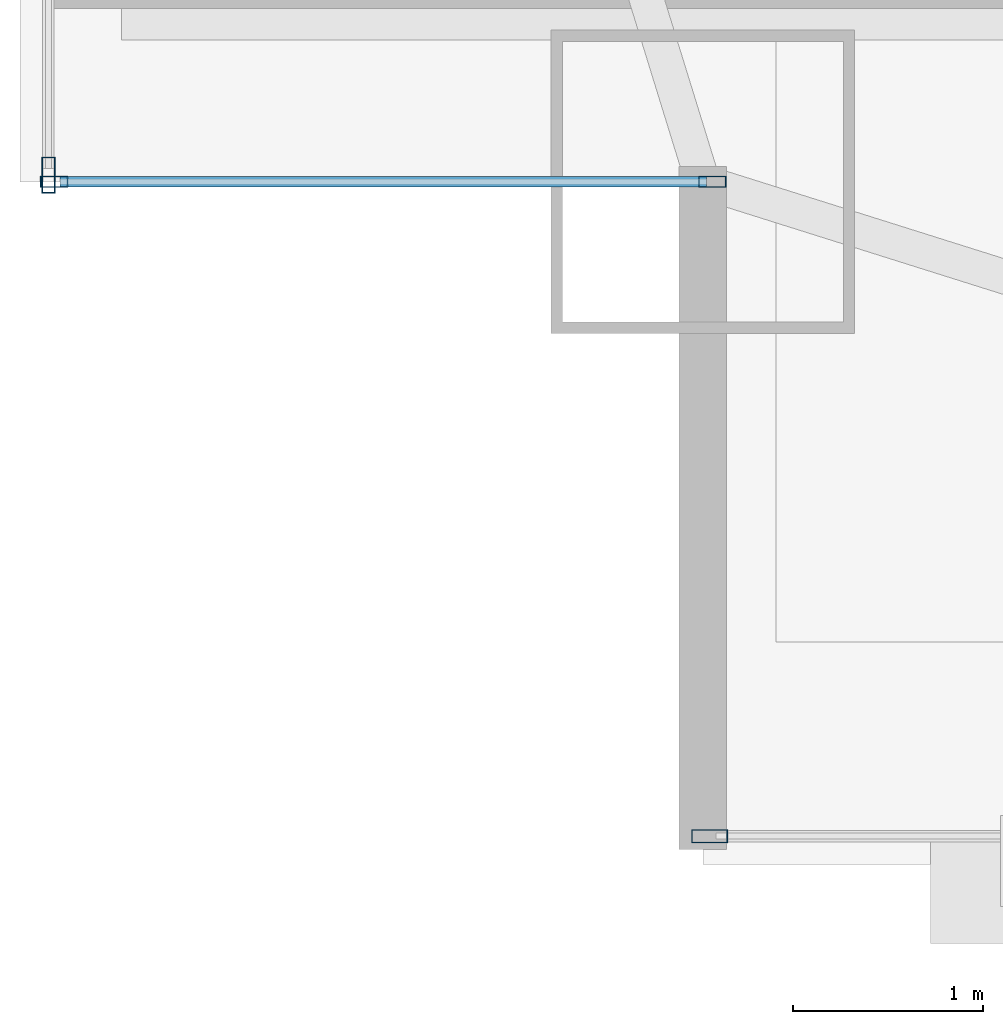
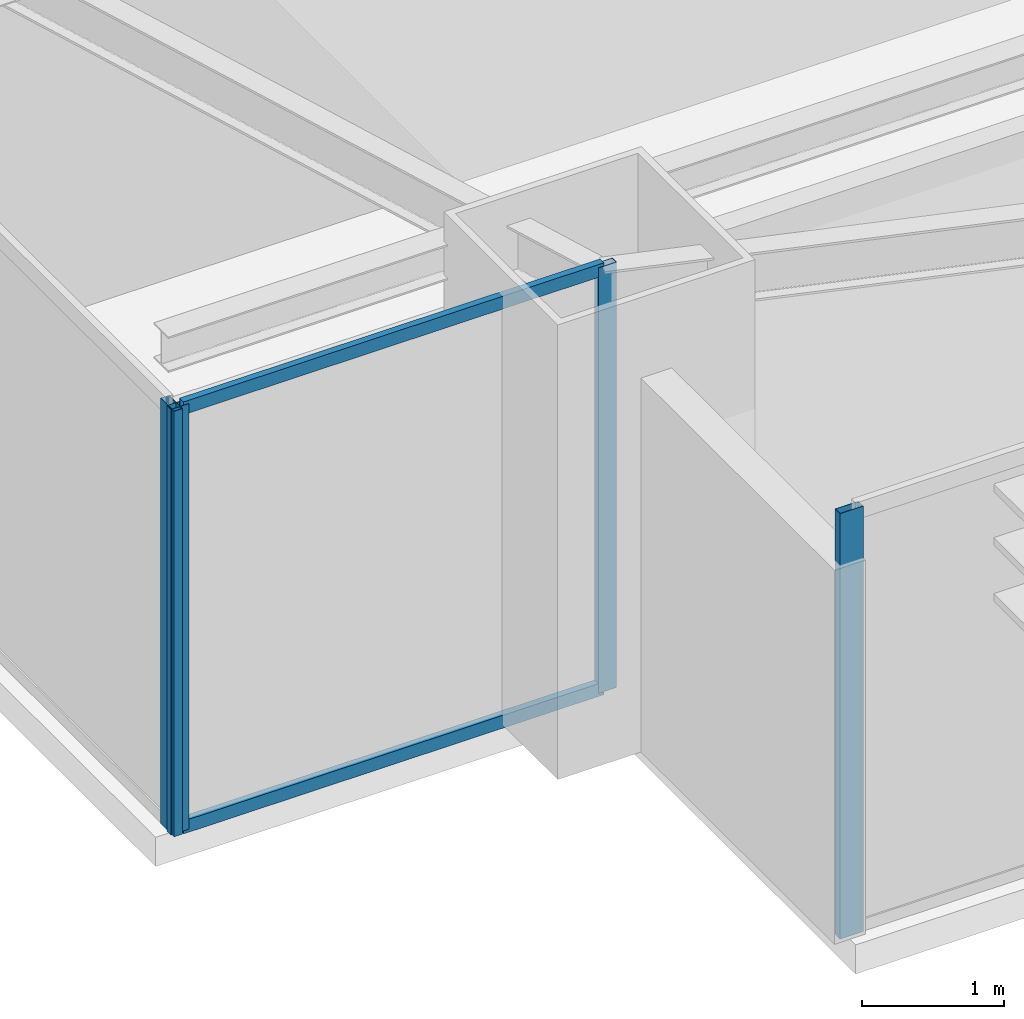
# One storey, part 3 of 34: 6 members, 3 elements without a shape of their own.
"""IFC4 building model written with IfcOpenShell, lengths in metres."""

from ifc_helpers import new_model, si_unit, direction, frame, origin, origin_2d, place, context, subcontext, project, spatial, hollow_rectangle, extrude, source, transform, mapped, material, layer, layer_set, material_profile, profile_set, type_object, type_shapes, element, aggregate, save


model = new_model("IFC4")

# Units and contexts
model_context = context("Model", 3, precision=1e-05, world=origin(), true_north=direction((0.0, 1.0)))
body_context = subcontext(model_context, "Body", "Model", "MODEL_VIEW")
ifc_project = project(units=[si_unit("LENGTHUNIT", "METRE"), si_unit("AREAUNIT", "SQUARE_METRE"), si_unit("VOLUMEUNIT", "CUBIC_METRE"), si_unit("PLANEANGLEUNIT", "RADIAN"), si_unit("MASSUNIT", "GRAM", prefix="KILO")], contexts=[model_context])

# Site, building, storey
site_placement = place(None, origin())
site = spatial("IfcSite", under=ifc_project, at=site_placement, CompositionType="ELEMENT")
building_placement = place(site_placement, origin())
building = spatial("IfcBuilding", under=site, at=building_placement, Name="Varnel Quay Broadcast Tower", CompositionType="ELEMENT")
storey_placement = place(building_placement, frame((0.0, 0.0, 47.10009765625)))
storey = spatial("IfcBuildingStorey", under=building, at=storey_placement, Name="L10", CompositionType="ELEMENT", Elevation=47.10009765625)

# Curtain wall, member
ifc_material = material(Name="Anodised Bronze Aluminium 6063-T6", Category="aluminium")
ifc_layer_1 = layer(ifc_material, 0.18994140625, Name="Anodised Bronze Aluminium 6063-T6")
ifc_layer_set_1 = layer_set([ifc_layer_1], Name="Anodised Bronze Aluminium 6063-T6")
curtain_wall_type_1 = type_object("IfcCurtainWallType", Name="CW_LowerTower", PredefinedType="NOTDEFINED", material=ifc_layer_set_1)
curtain_wall_1_placement = place(storey_placement, origin())
curtain_wall_1 = element("IfcCurtainWall", 1, at=curtain_wall_1_placement, inside=storey, type_object=curtain_wall_type_1, Name="L10 South Unitised Curtain Wall 1", PredefinedType="NOTDEFINED")
ifc_material_profile_1 = material_profile(ifc_material, hollow_rectangle(XDim=0.070068359375, YDim=0.18994140625, WallThickness=0.00390625, at=origin_2d()), Name="ALU70X190X4")
ifc_profile_set_1 = profile_set([ifc_material_profile_1], Name="Anodised Bronze Aluminium 6063-T6")
member_type_1 = type_object("IfcMemberType", Name="Mull_CWS-02", PredefinedType="MULLION", material=ifc_profile_set_1)
shared_shape_1 = source(origin(), body_context, "Body", "SweptSolid", [
    extrude(hollow_rectangle(XDim=0.070068359375, YDim=0.18994140625, WallThickness=0.00390625, at=origin_2d()), origin(), (0.0, 0.0, 1.0), 3.64990234375),
])
type_shapes(member_type_1, [shared_shape_1])
member_1_placement = place(storey_placement, frame((5.635009765625, 1.35009765625, 0.0), z_axis=(0.0, 0.0, 1.0), x_axis=(0.0, 1.0, 0.0)))
member_1 = element("IfcMember", 2, at=member_1_placement, type_object=member_type_1, Name="CWS-02 mullion 1", PredefinedType="MULLION", context=body_context, shape_type="MappedRepresentation", body=[
    mapped(shared_shape_1, transform((0.0, 0.0, 0.0), x_axis=(1.0, 0.0, 0.0), y_axis=(0.0, 1.0, 0.0), z_axis=(0.0, 0.0, 1.0), scale=1.0)),
])
aggregate(curtain_wall_1, [member_1])

curtain_wall_2_placement = place(storey_placement, origin())
curtain_wall_2 = element("IfcCurtainWall", 3, at=curtain_wall_2_placement, inside=storey, type_object=curtain_wall_type_1, Name="L10 West Unitised Curtain Wall", PredefinedType="NOTDEFINED")
member_2_placement = place(storey_placement, frame((2.14990234375, 4.8349609375, 0.0), z_axis=(0.0, 0.0, 1.0), x_axis=(-1.0, 0.0, 0.0)))
member_2 = element("IfcMember", 4, at=member_2_placement, type_object=member_type_1, Name="CWS-02 mullion 1", PredefinedType="MULLION", context=body_context, shape_type="MappedRepresentation", body=[
    mapped(shared_shape_1, transform((0.0, 0.0, 0.0), x_axis=(1.0, 0.0, 0.0), y_axis=(0.0, 1.0, 0.0), z_axis=(0.0, 0.0, 1.0), scale=1.0)),
])
aggregate(curtain_wall_2, [member_2])

# Curtain wall, members
ifc_layer_2 = layer(ifc_material, 0.18994140625, Name="Anodised Bronze Aluminium 6063-T6")
ifc_layer_set_2 = layer_set([ifc_layer_2], Name="Anodised Bronze Aluminium 6063-T6")
curtain_wall_type_2 = type_object("IfcCurtainWallType", Name="CW_NotchCorner", PredefinedType="NOTDEFINED", material=ifc_layer_set_2)
curtain_wall_3_placement = place(storey_placement, origin())
curtain_wall_3 = element("IfcCurtainWall", 5, at=curtain_wall_3_placement, inside=storey, type_object=curtain_wall_type_2, Name="L10 SW Notch Curtain Wall", PredefinedType="NOTDEFINED")
ifc_material_profile_2 = material_profile(ifc_material, hollow_rectangle(XDim=0.06005859375, YDim=0.14501953125, WallThickness=0.00341796875, at=origin_2d()), Name="ALU60X145X3.5")
ifc_profile_set_2 = profile_set([ifc_material_profile_2], Name="Anodised Bronze Aluminium 6063-T6")
member_type_2 = type_object("IfcMemberType", Name="Mull_CWS-04", PredefinedType="MULLION", material=ifc_profile_set_2)
shared_shape_2 = source(origin(), body_context, "Body", "SweptSolid", [
    extrude(hollow_rectangle(XDim=0.06005859375, YDim=0.14501953125, WallThickness=0.00341796875, at=origin_2d()), origin(), (0.0, 0.0, 1.0), 3.64990234375),
])
type_shapes(member_type_2, [shared_shape_2])
member_3_placement = place(storey_placement, frame((2.179931640625, 4.800048828125, 0.0), z_axis=(0.0, 0.0, 1.0), x_axis=(0.0, 1.0, 0.0)))
member_3 = element("IfcMember", 6, at=member_3_placement, type_object=member_type_2, Name="CWS-04 mullion 1", PredefinedType="MULLION", context=body_context, shape_type="MappedRepresentation", body=[
    mapped(shared_shape_2, transform((0.0, 0.0, 0.0), x_axis=(1.0, 0.0, 0.0), y_axis=(0.0, 1.0, 0.0), z_axis=(0.0, 0.0, 1.0), scale=1.0)),
])
member_4_placement = place(storey_placement, frame((5.64990234375, 4.800048828125, 0.0), z_axis=(0.0, 0.0, 1.0), x_axis=(0.0, 1.0, 0.0)))
member_4 = element("IfcMember", 7, at=member_4_placement, type_object=member_type_2, Name="CWS-04 mullion 2", PredefinedType="MULLION", context=body_context, shape_type="MappedRepresentation", body=[
    mapped(shared_shape_2, transform((0.0, 0.0, 0.0), x_axis=(1.0, 0.0, 0.0), y_axis=(0.0, 1.0, 0.0), z_axis=(0.0, 0.0, 1.0), scale=1.0)),
])
ifc_material_profile_3 = material_profile(ifc_material, hollow_rectangle(XDim=0.054931640625, YDim=0.110107421875, WallThickness=0.0029296875, at=origin_2d()), Name="ALU55X110X3")
ifc_profile_set_3 = profile_set([ifc_material_profile_3], Name="Anodised Bronze Aluminium 6063-T6")
member_type_3 = type_object("IfcMemberType", Name="Tran_CWS-04", PredefinedType="USERDEFINED", material=ifc_profile_set_3)
shared_shape_3 = source(origin(), body_context, "Body", "SweptSolid", [
    extrude(hollow_rectangle(XDim=0.054931640625, YDim=0.110107421875, WallThickness=0.0029296875, at=origin_2d()), origin(), (0.0, 0.0, 1.0), 3.41015625),
])
type_shapes(member_type_3, [shared_shape_3])
member_5_placement = place(storey_placement, frame((2.2099609375, 4.800048828125, 0.02734375), z_axis=(1.0, 0.0, 0.0), x_axis=(0.0, 1.0, 0.0)))
member_5 = element("IfcMember", 8, at=member_5_placement, type_object=member_type_3, Name="CWS-04 transom 1.1", ObjectType="TRANSOM", PredefinedType="USERDEFINED", context=body_context, shape_type="MappedRepresentation", body=[
    mapped(shared_shape_3, transform((0.0, 0.0, 0.0), x_axis=(1.0, 0.0, 0.0), y_axis=(0.0, 1.0, 0.0), z_axis=(0.0, 0.0, 1.0), scale=1.0)),
])
member_6_placement = place(storey_placement, frame((2.2099609375, 4.800048828125, 3.622314453125), z_axis=(1.0, 0.0, 0.0), x_axis=(0.0, 1.0, 0.0)))
member_6 = element("IfcMember", 9, at=member_6_placement, type_object=member_type_3, Name="CWS-04 transom 1.2", ObjectType="TRANSOM", PredefinedType="USERDEFINED", context=body_context, shape_type="MappedRepresentation", body=[
    mapped(shared_shape_3, transform((0.0, 0.0, 0.0), x_axis=(1.0, 0.0, 0.0), y_axis=(0.0, 1.0, 0.0), z_axis=(0.0, 0.0, 1.0), scale=1.0)),
])
aggregate(curtain_wall_3, [member_3, member_4, member_5, member_6])

save(model, "model.ifc")
